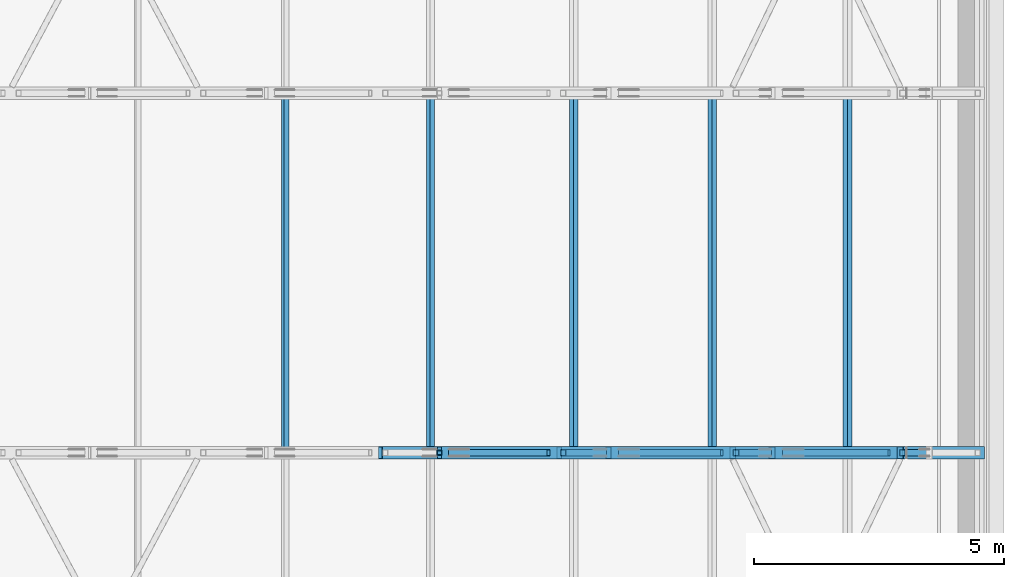
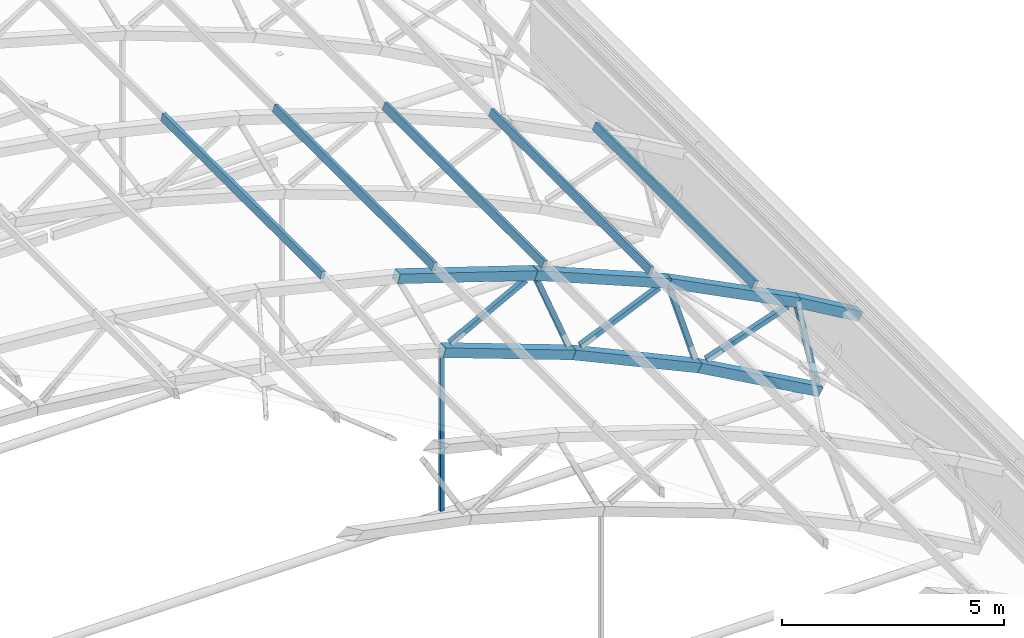
# One storey, part 61 of 127: 19 members.
"""IFC4 building model written with IfcOpenShell, lengths in metres."""

import ifcopenshell
import ifcopenshell.guid

model = None  # the IFC model being written
_history = None  # IfcOwnerHistory: only IFC2X3 demands one
_inside = {}  # id of a spatial element -> (the spatial element, [elements in it])
_under = {}  # id of a project, library or spatial element -> (it, [spatial elements below it])
_declared = {}  # id of a project -> (the project, [libraries it declares])
_typed = {}  # id of a type object -> (the type object, [elements of that type])
_made_of = {}  # id of a material, layer set ... -> (it, [elements and type objects made of it])


def new_model(schema):
    """Start an empty IFC model of exactly this schema.

    Asked for "IFC4X3", IfcOpenShell would pick the latest addendum, in which some entities
    have other attributes; the version numbers below select the first issue.
    IFC2X3 requires an IfcOwnerHistory on every rooted entity: one is made here for all.
    """
    global model, _history
    if schema == "IFC4X3":
        model = ifcopenshell.file(schema_version=(4, 3, 0, 0))
    else:
        model = ifcopenshell.file(schema=schema)
    _inside.clear()
    _under.clear()
    _declared.clear()
    _typed.clear()
    _made_of.clear()
    _history = None
    if model.schema == "IFC2X3":
        org = make("IfcOrganization", Name="unknown")
        user = make(
            "IfcPersonAndOrganization",
            ThePerson=make("IfcPerson", FamilyName="unknown"),
            TheOrganization=org,
        )
        app = make(
            "IfcApplication",
            ApplicationDeveloper=org,
            Version="unknown",
            ApplicationFullName="unknown",
            ApplicationIdentifier="unknown",
        )
        _history = make(
            "IfcOwnerHistory",
            OwningUser=user,
            OwningApplication=app,
            ChangeAction="ADDED",
            CreationDate=0,
        )
    return model


def make(cls, **values):
    """One entity of the class cls with the attributes given. An attribute that is None is left unset."""
    return model.create_entity(
        cls, **{name: value for name, value in values.items() if value is not None}
    )


def rooted(cls, **values):
    """An entity with a GlobalId (a new one), such as an element, a storey or a relation."""
    return make(cls, GlobalId=ifcopenshell.guid.new(), OwnerHistory=_history, **values)


def si_unit(unit_type, name, prefix=None):
    """IfcSIUnit, for example si_unit("LENGTHUNIT", "METRE", prefix="MILLI")."""
    return make("IfcSIUnit", UnitType=unit_type, Prefix=prefix, Name=name)


def assignment(units):
    """IfcUnitAssignment: the units of a project."""
    return None if units is None else make("IfcUnitAssignment", Units=units)


def point(xyz):
    """IfcCartesianPoint."""
    return None if xyz is None else make("IfcCartesianPoint", Coordinates=xyz)


def direction(xyz):
    """IfcDirection."""
    return None if xyz is None else make("IfcDirection", DirectionRatios=xyz)


def frame(location, z_axis=None, x_axis=None):
    """IfcAxis2Placement3D, a coordinate frame: its origin and axes. An axis left out is left unset."""
    return make(
        "IfcAxis2Placement3D",
        Location=point(location),
        Axis=direction(z_axis),
        RefDirection=direction(x_axis),
    )


def frame_2d(location, x_axis=None):
    """IfcAxis2Placement2D, a coordinate frame in the plane: its origin and x axis."""
    return make(
        "IfcAxis2Placement2D", Location=point(location), RefDirection=direction(x_axis)
    )


def origin():
    """The frame at (0, 0, 0) with its axes left unset."""
    return frame((0.0, 0.0, 0.0))


def origin_2d():
    """The frame at (0, 0) in the plane with its x axis left unset."""
    return frame_2d((0.0, 0.0))


def place(relative_to, where):
    """IfcLocalPlacement: puts the frame where relative to a parent placement (None: the world)."""
    return make(
        "IfcLocalPlacement", PlacementRelTo=relative_to, RelativePlacement=where
    )


def context(
    kind, dimensions, precision=None, world=None, true_north=None, identifier=None
):
    """IfcGeometricRepresentationContext, for example the 3D "Model" context."""
    return make(
        "IfcGeometricRepresentationContext",
        ContextIdentifier=identifier,
        ContextType=kind,
        CoordinateSpaceDimension=dimensions,
        Precision=precision,
        WorldCoordinateSystem=world,
        TrueNorth=true_north,
    )


def subcontext(parent, identifier, kind, view, scale=None):
    """IfcGeometricRepresentationSubContext, for example "Body" below "Model"."""
    return make(
        "IfcGeometricRepresentationSubContext",
        ContextIdentifier=identifier,
        ContextType=kind,
        ParentContext=parent,
        TargetScale=scale,
        TargetView=view,
    )


def project(units=None, contexts=None):
    """IfcProject with its units and contexts."""
    return rooted(
        "IfcProject",
        Name="project",
        RepresentationContexts=contexts,
        UnitsInContext=assignment(units),
    )


def spatial(cls, under=None, at=None, **own):
    """A site, building, storey or space (cls), placed at a placement, below another one or the project."""
    s = rooted(cls, ObjectPlacement=at, **own)
    if under is not None:
        _under.setdefault(under.id(), (under, []))[1].append(s)
    return s


def profile(cls, at=None, kind="AREA", **sizes):
    """A parametric profile (cls). Its sizes go by their IFC names, for example OverallWidth=200.0."""
    return make(cls, ProfileType=kind, Position=at, **sizes)


def hollow_rectangle(**sizes):
    """IfcRectangleHollowProfileDef."""
    return profile("IfcRectangleHollowProfileDef", **sizes)


def extrude(swept, where, along, depth):
    """IfcExtrudedAreaSolid: the profile swept, set in the frame where, extruded along a direction by depth."""
    return make(
        "IfcExtrudedAreaSolid",
        SweptArea=swept,
        Position=where,
        ExtrudedDirection=direction(along),
        Depth=depth,
    )


def shape(context_of_items, identifier, shape_type, items):
    """IfcShapeRepresentation: the items that make up one representation, for example the "Body"."""
    return make(
        "IfcShapeRepresentation",
        ContextOfItems=context_of_items,
        RepresentationIdentifier=identifier,
        RepresentationType=shape_type,
        Items=items,
    )


def material(Name=None, Category=None):
    """IfcMaterial."""
    return make("IfcMaterial", Name=Name, Category=Category)


def material_profile(
    of_material, cross_section, Name=None, Category=None, Priority=None
):
    """IfcMaterialProfile: a cross section and its material."""
    return make(
        "IfcMaterialProfile",
        Name=Name,
        Material=of_material,
        Profile=cross_section,
        Priority=Priority,
        Category=Category,
    )


def profile_set(profiles, Name=None, composite=None):
    """IfcMaterialProfileSet."""
    return make(
        "IfcMaterialProfileSet",
        Name=Name,
        MaterialProfiles=profiles,
        CompositeProfile=composite,
    )


def made_of(thing, what):
    """Note that an element or type object is made of a material, layer set ...; save() writes the relation."""
    if what is not None:
        _made_of.setdefault(what.id(), (what, []))[1].append(thing)
    return thing


def type_object(cls, material=None, **own):
    """A type object (cls), such as IfcWallType, which elements share."""
    return made_of(rooted(cls, **own), material)


def element(
    cls,
    number,
    at=None,
    inside=None,
    cuts=None,
    type_object=None,
    material=None,
    context=None,
    identifier="Body",
    shape_type=None,
    held_by="IfcProductDefinitionShape",
    body=None,
    shapes=None,
    **own,
):
    """One element of the class cls, such as IfcWall. Its Tag is "e" and its number.

    at: its placement. inside: the storey or other place that contains it. cuts: it is an
    opening in that element (IfcRelVoidsElement). A single representation is given by context,
    identifier, shape_type and body (its items); several are given by shapes. held_by: the class
    of the entity that holds the representations. save() writes the other relations.
    """
    e = rooted(cls, Tag="e%d" % number, ObjectPlacement=at, **own)
    if body is not None:
        shapes = [shape(context, identifier, shape_type, body)]
    if shapes is not None:
        e.Representation = make(held_by, Representations=shapes)
    if inside is not None:
        _inside.setdefault(inside.id(), (inside, []))[1].append(e)
    if cuts is not None:
        rooted(
            "IfcRelVoidsElement", RelatingBuildingElement=cuts, RelatedOpeningElement=e
        )
    if type_object is not None:
        _typed.setdefault(type_object.id(), (type_object, []))[1].append(e)
    return made_of(e, material)


def aggregate(whole, parts):
    """IfcRelAggregates: a whole, such as a stair, and the parts it consists of."""
    return rooted("IfcRelAggregates", RelatingObject=whole, RelatedObjects=parts)


def save(model, path):
    """Write the relations noted so far, then the file.

    IfcRelAggregates (storeys below a building ...), IfcRelContainedInSpatialStructure (elements
    in a storey), IfcRelDefinesByType, IfcRelAssociatesMaterial and IfcRelDeclares: one each for
    every whole, place, type object, material and project.
    """
    for whole, parts in _under.values():
        aggregate(whole, parts)
    for where, things in _inside.values():
        rooted(
            "IfcRelContainedInSpatialStructure",
            RelatedElements=things,
            RelatingStructure=where,
        )
    for kind, things in _typed.values():
        rooted("IfcRelDefinesByType", RelatedObjects=things, RelatingType=kind)
    for what, things in _made_of.values():
        rooted("IfcRelAssociatesMaterial", RelatedObjects=things, RelatingMaterial=what)
    for by, libraries in _declared.values():
        rooted("IfcRelDeclares", RelatingContext=by, RelatedDefinitions=libraries)
    model.write(path)


model = new_model("IFC4")

# Units and contexts
model_context = context("Model", 3, precision=1e-05, world=origin(), true_north=direction((0.0, 1.0)))
body_context = subcontext(model_context, "Body", "Model", "MODEL_VIEW")
ifc_project = project(units=[si_unit("LENGTHUNIT", "METRE"), si_unit("AREAUNIT", "SQUARE_METRE"), si_unit("VOLUMEUNIT", "CUBIC_METRE"), si_unit("PLANEANGLEUNIT", "RADIAN"), si_unit("MASSUNIT", "GRAM", prefix="KILO")], contexts=[model_context])

# Site, building, storey
site_placement = place(None, origin())
site = spatial("IfcSite", under=ifc_project, at=site_placement, CompositionType="ELEMENT")
building_placement = place(site_placement, origin())
building = spatial("IfcBuilding", under=site, at=building_placement, Name="Verrick Yard Athletic Hall", CompositionType="ELEMENT")
storey_placement = place(building_placement, frame((0.0, 0.0, 14.0)))
storey = spatial("IfcBuildingStorey", under=building, at=storey_placement, Name="L03", CompositionType="ELEMENT", Elevation=14.0)

# Members
ifc_material = material(Name="Structural steel HSS Class C 350W (CSA G40.20/G40.21)", Category="steel")
ifc_material_profile_1 = material_profile(ifc_material, hollow_rectangle(XDim=0.25390625, YDim=0.25390625, WallThickness=0.009521484375, at=origin_2d()), Name="HSS254x254x9.5")
ifc_profile_set_1 = profile_set([ifc_material_profile_1], Name="Structural steel HSS Class C 350W (CSA G40.20/G40.21)")
member_type_1 = type_object("IfcMemberType", Name="HB bottom chord HSS254x254x9.5", PredefinedType="CHORD", material=ifc_profile_set_1)
member_1_placement = place(storey_placement, frame((159.797119140625, 93.60009765625, 4.51123046875), z_axis=(0.938394107905, 0.0, -0.345566922966), x_axis=(0.0, 1.0, 0.0)))
element("IfcMember", 1, at=member_1_placement, inside=storey, type_object=member_type_1, Name="Truss TA4 bottom chord 12", PredefinedType="CHORD", context=body_context, shape_type="SweptSolid", body=[
    extrude(hollow_rectangle(XDim=0.25390625, YDim=0.25390625, WallThickness=0.009521484375, at=origin_2d()), origin(), (0.0, 0.0, 1.0), 3.595947265625),
])
member_2_placement = place(storey_placement, frame((163.180908203125, 93.60009765625, 3.2646484375), z_axis=(0.908445597889, 0.0, -0.418003104865), x_axis=(0.0, 1.0, 0.0)))
element("IfcMember", 2, at=member_2_placement, inside=storey, type_object=member_type_1, Name="Truss TA4 bottom chord 13", PredefinedType="CHORD", context=body_context, shape_type="SweptSolid", body=[
    extrude(hollow_rectangle(XDim=0.25390625, YDim=0.25390625, WallThickness=0.009521484375, at=origin_2d()), origin(), (0.0, 0.0, 1.0), 3.59619140625),
])
member_3_placement = place(storey_placement, frame((166.45654296875, 93.60009765625, 1.757080078125), z_axis=(0.872897627776, 0.0, -0.487903403783), x_axis=(0.0, 1.0, 0.0)))
element("IfcMember", 3, at=member_3_placement, inside=storey, type_object=member_type_1, Name="Truss TA4 bottom chord 14", PredefinedType="CHORD", context=body_context, shape_type="SweptSolid", body=[
    extrude(hollow_rectangle(XDim=0.25390625, YDim=0.25390625, WallThickness=0.009521484375, at=origin_2d()), origin(), (0.0, 0.0, 1.0), 3.601318359375),
])
ifc_material_profile_2 = material_profile(ifc_material, hollow_rectangle(XDim=0.1015625, YDim=0.203125, WallThickness=0.009521484375, at=origin_2d()), Name="HSS203x102x9.5")
ifc_profile_set_2 = profile_set([ifc_material_profile_2], Name="Structural steel HSS Class C 350W (CSA G40.20/G40.21)")
member_type_2 = type_object("IfcMemberType", Name="HB purlin HSS203x102x9.5", PredefinedType="PURLIN", material=ifc_profile_set_2)
for number, where, z_axis, x_axis, name in (
    (4, (156.70703125, 93.60009765625, 7.651611328125), (0.0, 1.0, 0.0), (-0.972458956474, 0.0, 0.23307418985), "HB-PU-A-4-13"),
    (5, (159.62060546875, 93.60009765625, 6.872802734375), (0.0, 1.0, 0.0), (-0.951213620533, 0.0, 0.308533058379), "HB-PU-A-4-14"),
    (6, (162.48486328125, 93.60009765625, 5.92431640625), (0.0, 1.0, 0.0), (-0.924122791552, 0.0, 0.382095624331), "HB-PU-A-4-15"),
    (7, (165.25732421875, 93.60009765625, 4.778076171875), (0.0, 1.0, 0.0), (-0.924122791552, 0.0, 0.382095624331), "HB-PU-A-4-16"),
    (8, (167.965087890625, 93.60009765625, 3.44873046875), (0.0, 1.0, 0.0), (-0.891352741199, 0.0, 0.453310369126), "HB-PU-A-4-17"),
):
    element("IfcMember", number, at=place(storey_placement, frame(where, z_axis=z_axis, x_axis=x_axis)), inside=storey, type_object=member_type_2, Name=name, PredefinedType="PURLIN", context=body_context, shape_type="SweptSolid", body=[
        extrude(hollow_rectangle(XDim=0.1015625, YDim=0.203125, WallThickness=0.009521484375, at=origin_2d()), origin(), (0.0, 0.0, 1.0), 7.199951171875),
    ])
ifc_material_profile_3 = material_profile(ifc_material, hollow_rectangle(XDim=0.25390625, YDim=0.25390625, WallThickness=0.009521484375, at=origin_2d()), Name="HSS254x254x9.5")
ifc_profile_set_3 = profile_set([ifc_material_profile_3], Name="Structural steel HSS Class C 350W (CSA G40.20/G40.21)")
member_type_3 = type_object("IfcMemberType", Name="HB top chord HSS254x254x9.5", PredefinedType="CHORD", material=ifc_profile_set_3)
for number, where, z_axis, x_axis, name in (
    (9, (158.61328125, 93.60009765625, 6.959228515625), (0.951208887206, 0.0, -0.308547650938), (0.0, 1.0, 0.0), "Truss TA4 top chord 12"),
    (10, (162.1923828125, 93.60009765625, 5.7978515625), (0.924139625494, 0.0, -0.382054907823), (0.0, 1.0, 0.0), "Truss TA4 top chord 13"),
):
    element("IfcMember", number, at=place(storey_placement, frame(where, z_axis=z_axis, x_axis=x_axis)), inside=storey, type_object=member_type_3, Name=name, PredefinedType="CHORD", context=body_context, shape_type="SweptSolid", body=[
        extrude(hollow_rectangle(XDim=0.25390625, YDim=0.25390625, WallThickness=0.009521484375, at=origin_2d()), origin(), (0.0, 0.0, 1.0), 3.7529296875),
    ])
member_4_placement = place(storey_placement, frame((165.669677734375, 93.60009765625, 4.35986328125), z_axis=(0.891336584454, 0.0, -0.453342137037), x_axis=(0.0, 1.0, 0.0)))
element("IfcMember", 11, at=member_4_placement, inside=storey, type_object=member_type_3, Name="Truss TA4 top chord 14", PredefinedType="CHORD", context=body_context, shape_type="SweptSolid", body=[
    extrude(hollow_rectangle(XDim=0.25390625, YDim=0.25390625, WallThickness=0.009521484375, at=origin_2d()), origin(), (0.0, 0.0, 1.0), 3.754150390625),
])
member_5_placement = place(storey_placement, frame((169.0224609375, 93.60009765625, 2.654541015625), z_axis=(0.863174775639, 0.0, -0.504905245269), x_axis=(0.0, 1.0, 0.0)))
element("IfcMember", 12, at=member_5_placement, inside=storey, type_object=member_type_3, Name="Truss TA4 top chord 15", PredefinedType="CHORD", context=body_context, shape_type="SweptSolid", body=[
    extrude(hollow_rectangle(XDim=0.25390625, YDim=0.25390625, WallThickness=0.009521484375, at=origin_2d()), origin(), (0.0, 0.0, 1.0), 1.878173828125),
])
ifc_material_profile_4 = material_profile(ifc_material, hollow_rectangle(XDim=0.1015625, YDim=0.1015625, WallThickness=0.00634765625, at=origin_2d()), Name="HSS102x102x6.4")
ifc_profile_set_4 = profile_set([ifc_material_profile_4], Name="Structural steel HSS Class C 350W (CSA G40.20/G40.21)")
member_type_4 = type_object("IfcMemberType", Name="HB truss hanger HSS102x102x6.4", PredefinedType="MEMBER", material=ifc_profile_set_4)
member_6_placement = place(storey_placement, frame((159.79248046875, 93.60009765625, 4.35888671875), z_axis=(0.0, 0.0, -1.0), x_axis=(0.0, -1.0, 0.0)))
element("IfcMember", 13, at=member_6_placement, inside=storey, type_object=member_type_4, Name="Truss TA4 hanger 3", PredefinedType="MEMBER", context=body_context, shape_type="SweptSolid", body=[
    extrude(hollow_rectangle(XDim=0.1015625, YDim=0.1015625, WallThickness=0.00634765625, at=origin_2d()), origin(), (0.0, 0.0, 1.0), 4.249267578125),
])
ifc_material_profile_5 = material_profile(ifc_material, hollow_rectangle(XDim=0.126953125, YDim=0.126953125, WallThickness=0.009521484375, at=origin_2d()), Name="HSS127x127x9.5")
ifc_profile_set_5 = profile_set([ifc_material_profile_5], Name="Structural steel HSS Class C 350W (CSA G40.20/G40.21)")
member_type_5 = type_object("IfcMemberType", Name="HB truss web HSS127x127x9.5", PredefinedType="BRACE", material=ifc_profile_set_5)
for number, where, z_axis, x_axis, name in (
    (14, (160.01171875, 93.60009765625, 4.630615234375), (0.880902446091, 0.0, 0.473297877103), (0.0, 1.0, 0.0), "Truss TA4 web 23"),
    (15, (162.27392578125, 93.60009765625, 5.579345703125), (0.363537858519, 0.0, -0.931579425183), (0.0, 1.0, 0.0), "Truss TA4 web 24"),
    (16, (163.404052734375, 93.60009765625, 3.366943359375), (0.915297302882, 0.0, 0.402778906272), (0.0, 1.0, 0.0), "Truss TA4 web 25"),
    (17, (165.733642578125, 93.60009765625, 4.135498046875), (0.289543214815, 0.0, -0.957164942293), (0.0, 1.0, 0.0), "Truss TA4 web 26"),
    (18, (166.68701171875, 93.60009765625, 1.841552734375), (0.944026930686, 0.0, 0.329868389118), (0.0, 1.0, 0.0), "Truss TA4 web 27"),
):
    element("IfcMember", number, at=place(storey_placement, frame(where, z_axis=z_axis, x_axis=x_axis)), inside=storey, type_object=member_type_5, Name=name, PredefinedType="BRACE", context=body_context, shape_type="SweptSolid", body=[
        extrude(hollow_rectangle(XDim=0.126953125, YDim=0.126953125, WallThickness=0.009521484375, at=origin_2d()), origin(), (0.0, 0.0, 1.0), 2.233642578125),
    ])
member_7_placement = place(storey_placement, frame((169.068603515625, 93.60009765625, 2.430419921875), z_axis=(0.213603528569, 0.0, -0.976920433087), x_axis=(0.0, 1.0, 0.0)))
element("IfcMember", 19, at=member_7_placement, inside=storey, type_object=member_type_5, Name="Truss end diagonal TA4-28", PredefinedType="BRACE", context=body_context, shape_type="SweptSolid", body=[
    extrude(hollow_rectangle(XDim=0.126953125, YDim=0.126953125, WallThickness=0.009521484375, at=origin_2d()), origin(), (0.0, 0.0, 1.0), 2.261962890625),
])

save(model, "model.ifc")
